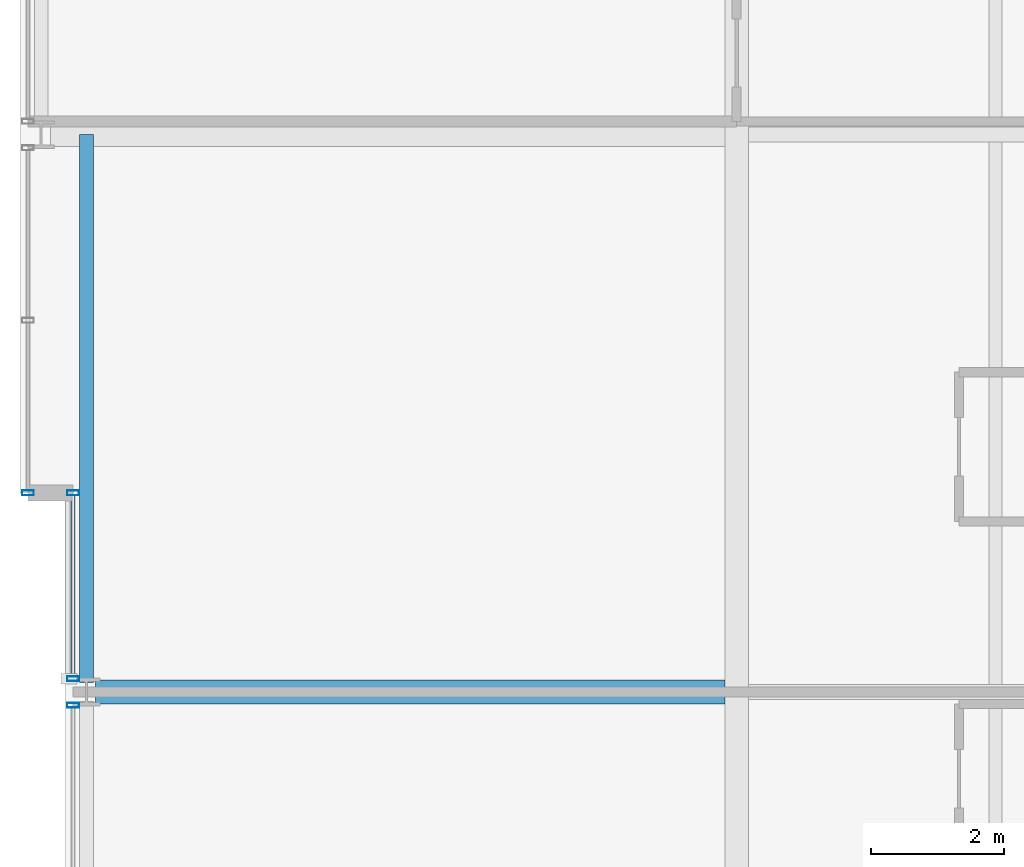
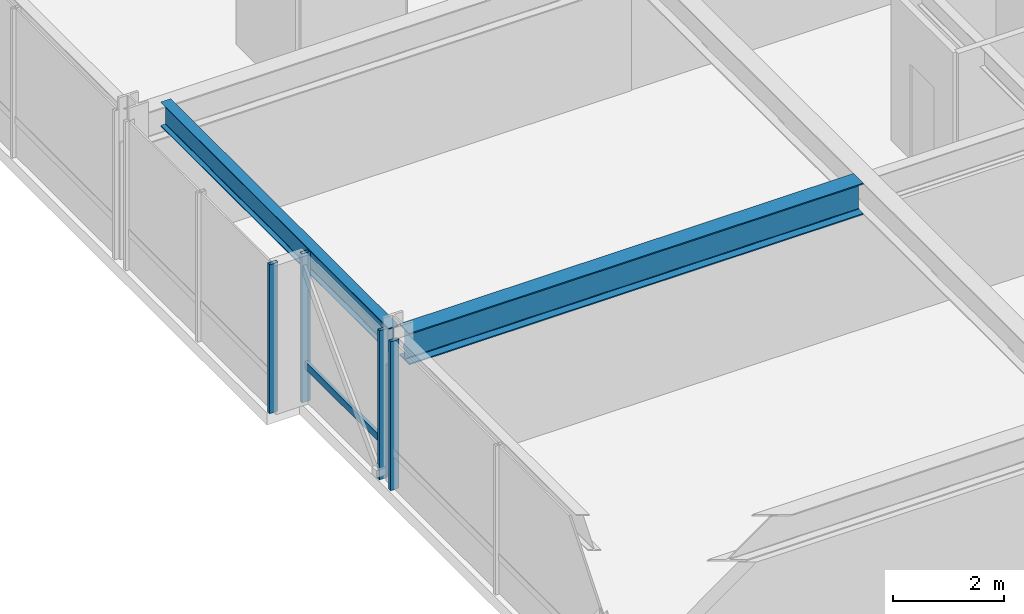
# One storey, part 9 of 34: 5 members, 2 beams, 3 elements without a shape of their own.
"""IFC4 building model written with IfcOpenShell, lengths in metres."""

from ifc_helpers import new_model, si_unit, direction, frame, origin, origin_2d, place, context, subcontext, project, spatial, hollow_rectangle, i_section, extrude, material, layer, layer_set, material_profile, profile_set, type_object, element, aggregate, save


model = new_model("IFC4")

# Units and contexts
model_context = context("Model", 3, precision=1e-05, world=origin(), true_north=direction((0.0, 1.0)))
body_context = subcontext(model_context, "Body", "Model", "MODEL_VIEW")
ifc_project = project(units=[si_unit("LENGTHUNIT", "METRE"), si_unit("AREAUNIT", "SQUARE_METRE"), si_unit("VOLUMEUNIT", "CUBIC_METRE"), si_unit("PLANEANGLEUNIT", "RADIAN"), si_unit("MASSUNIT", "GRAM", prefix="KILO")], contexts=[model_context])

# Site, building, storey
site_placement = place(None, origin())
site = spatial("IfcSite", under=ifc_project, at=site_placement, CompositionType="ELEMENT")
building_placement = place(site_placement, origin())
building = spatial("IfcBuilding", under=site, at=building_placement, Name="Drelvath Grand Hotel", CompositionType="ELEMENT")
storey_placement = place(building_placement, frame((0.0, 0.0, 175.25)))
storey = spatial("IfcBuildingStorey", under=building, at=storey_placement, Name="L45", CompositionType="ELEMENT", Elevation=175.25)

# Curtain wall, member
ifc_material_1 = material(Name="Brushed Pale-Silver Anodised Aluminium Frame", Category="aluminium")
ifc_layer = layer(ifc_material_1, 0.199951171875)
ifc_layer_set = layer_set([ifc_layer], Name="Brushed Pale-Silver Anodised Aluminium Frame")
curtain_wall_type = type_object("IfcCurtainWallType", Name="Stick Curtain Wall CW-04 Brushed Silver Upper-Mid", PredefinedType="NOTDEFINED", material=ifc_layer_set)
curtain_wall_1_placement = place(storey_placement, origin())
curtain_wall_1 = element("IfcCurtainWall", 1, at=curtain_wall_1_placement, inside=storey, type_object=curtain_wall_type, Name="L45 CW-04 Curtain Wall CW04-L45-WM2", PredefinedType="NOTDEFINED")
ifc_material_profile_1 = material_profile(ifc_material_1, hollow_rectangle(XDim=0.06494140625, YDim=0.159912109375, WallThickness=0.00390625, at=origin_2d()), Name="HSS160X65X4")
ifc_profile_set_1 = profile_set([ifc_material_profile_1], Name="Brushed Pale-Silver Anodised Aluminium Frame")
member_type_1 = type_object("IfcMemberType", Name="Curtain Wall Horizontal Transom CW-04 HSS160X65X4", PredefinedType="USERDEFINED", material=ifc_profile_set_1)
member_1_placement = place(storey_placement, frame((-26.199951171875, 27.239990234375, 0.822509765625), z_axis=(0.0, 1.0, 0.0), x_axis=(-1.0, 0.0, 0.0)))
member_1 = element("IfcMember", 2, at=member_1_placement, type_object=member_type_1, Name="CW04-L45-WM2 Sill Transom", ObjectType="TRANSOM", PredefinedType="USERDEFINED", context=body_context, shape_type="SweptSolid", body=[
    extrude(hollow_rectangle(XDim=0.06494140625, YDim=0.159912109375, WallThickness=0.00390625, at=origin_2d()), origin(), (0.0, 0.0, 1.0), 2.719970703125),
])

curtain_wall_2_placement = place(storey_placement, origin())
curtain_wall_2 = element("IfcCurtainWall", 3, at=curtain_wall_2_placement, inside=storey, type_object=curtain_wall_type, Name="L45 CW-04 Curtain Wall CW04-L45-WM1", PredefinedType="NOTDEFINED")
ifc_material_profile_2 = material_profile(ifc_material_1, hollow_rectangle(XDim=0.074951171875, YDim=0.179931640625, WallThickness=0.0048828125, at=origin_2d()), Name="HSS180X75X5")
ifc_profile_set_2 = profile_set([ifc_material_profile_2], Name="Brushed Pale-Silver Anodised Aluminium Frame")
member_type_2 = type_object("IfcMemberType", Name="Curtain Wall Vertical Mullion CW-04 HSS180X75X5", PredefinedType="MULLION", material=ifc_profile_set_2)
member_2_placement = place(storey_placement, frame((-26.199951171875, 26.7998046875, 0.0), z_axis=(0.0, 0.0, 1.0), x_axis=(0.0, 1.0, 0.0)))
member_2 = element("IfcMember", 4, at=member_2_placement, type_object=member_type_2, Name="CW04-L45-WM1 Mullion 3", PredefinedType="MULLION", context=body_context, shape_type="SweptSolid", body=[
    extrude(hollow_rectangle(XDim=0.074951171875, YDim=0.179931640625, WallThickness=0.0048828125, at=origin_2d()), origin(), (0.0, 0.0, 1.0), 3.2900390625),
])
aggregate(curtain_wall_2, [member_2])

# Member
member_3_placement = place(storey_placement, frame((-26.199951171875, 27.2001953125, 0.0), z_axis=(0.0, 0.0, 1.0), x_axis=(0.0, 1.0, 0.0)))
member_3 = element("IfcMember", 5, at=member_3_placement, type_object=member_type_2, Name="CW04-L45-WM2 Mullion 1", PredefinedType="MULLION", context=body_context, shape_type="SweptSolid", body=[
    extrude(hollow_rectangle(XDim=0.074951171875, YDim=0.179931640625, WallThickness=0.0048828125, at=origin_2d()), origin(), (0.0, 0.0, 1.0), 3.2900390625),
])

member_4_placement = place(storey_placement, frame((-26.199951171875, 30.0, 0.0), z_axis=(0.0, 0.0, 1.0), x_axis=(0.0, 1.0, 0.0)))
member_4 = element("IfcMember", 6, at=member_4_placement, type_object=member_type_2, Name="CW04-L45-WM2 Mullion 2", PredefinedType="MULLION", context=body_context, shape_type="SweptSolid", body=[
    extrude(hollow_rectangle(XDim=0.074951171875, YDim=0.179931640625, WallThickness=0.0048828125, at=origin_2d()), origin(), (0.0, 0.0, 1.0), 3.2900390625),
])

aggregate(curtain_wall_1, [member_3, member_4, member_1])

# Curtain wall, member
curtain_wall_3_placement = place(storey_placement, origin())
curtain_wall_3 = element("IfcCurtainWall", 7, at=curtain_wall_3_placement, inside=storey, type_object=curtain_wall_type, Name="L45 CW-04 Curtain Wall CW04-L45-WN1", PredefinedType="NOTDEFINED")
member_5_placement = place(storey_placement, frame((-26.8798828125, 30.0, 0.0), z_axis=(0.0, 0.0, 1.0), x_axis=(0.0, 1.0, 0.0)))
member_5 = element("IfcMember", 8, at=member_5_placement, type_object=member_type_2, Name="CW04-L45-WN1 Mullion 1", PredefinedType="MULLION", context=body_context, shape_type="SweptSolid", body=[
    extrude(hollow_rectangle(XDim=0.074951171875, YDim=0.179931640625, WallThickness=0.0048828125, at=origin_2d()), origin(), (0.0, 0.0, 1.0), 3.2900390625),
])
aggregate(curtain_wall_3, [member_5])

# Beams
ifc_material_2 = material(Name="Steel ASTM A992 Gr 50", Category="steel")
ifc_material_profile_3 = material_profile(ifc_material_2, i_section(OverallWidth=0.210205078125, OverallDepth=0.53662109375, WebThickness=0.010986328125, FlangeThickness=0.017333984375, FilletRadius=0.01806640625, at=origin_2d()), Name="W21X68")
ifc_profile_set_3 = profile_set([ifc_material_profile_3], Name="Steel ASTM A992 Gr 50")
beam_type_1 = type_object("IfcBeamType", Name="Perimeter Spandrel Beam W21X68", PredefinedType="SPANDREL", material=ifc_profile_set_3)
beam_1_placement = place(storey_placement, frame((-26.0, 27.139892578125, 3.021484375), z_axis=(0.0, 1.0, 0.0), x_axis=(-1.0, 0.0, 0.0)))
element("IfcBeam", 9, at=beam_1_placement, inside=storey, type_object=beam_type_1, Name="L45 Spandrel West Mid N", PredefinedType="SPANDREL", context=body_context, shape_type="SweptSolid", body=[
    extrude(i_section(OverallWidth=0.210205078125, OverallDepth=0.53662109375, WebThickness=0.010986328125, FlangeThickness=0.017333984375, FilletRadius=0.01806640625, at=origin_2d()), origin(), (0.0, 0.0, 1.0), 8.260009765625),
])
ifc_material_profile_4 = material_profile(ifc_material_2, i_section(OverallWidth=0.354736328125, OverallDepth=0.695556640625, WebThickness=0.015380859375, FlangeThickness=0.025146484375, FilletRadius=0.02392578125, at=origin_2d()), Name="W27X146")
ifc_profile_set_4 = profile_set([ifc_material_profile_4], Name="Steel ASTM A992 Gr 50")
beam_type_2 = type_object("IfcBeamType", Name="Primary Floor Girder W27X146", PredefinedType="BEAM", material=ifc_profile_set_4)
beam_2_placement = place(storey_placement, frame((-25.860107421875, 27.0, 2.9423828125), z_axis=(1.0, 0.0, 0.0), x_axis=(0.0, 1.0, 0.0)))
element("IfcBeam", 10, at=beam_2_placement, inside=storey, type_object=beam_type_2, Name="L45 West Wing Girder E", PredefinedType="BEAM", context=body_context, shape_type="SweptSolid", body=[
    extrude(i_section(OverallWidth=0.354736328125, OverallDepth=0.695556640625, WebThickness=0.015380859375, FlangeThickness=0.025146484375, FilletRadius=0.02392578125, at=origin_2d()), origin(), (0.0, 0.0, 1.0), 9.482666015625),
])

save(model, "model.ifc")
